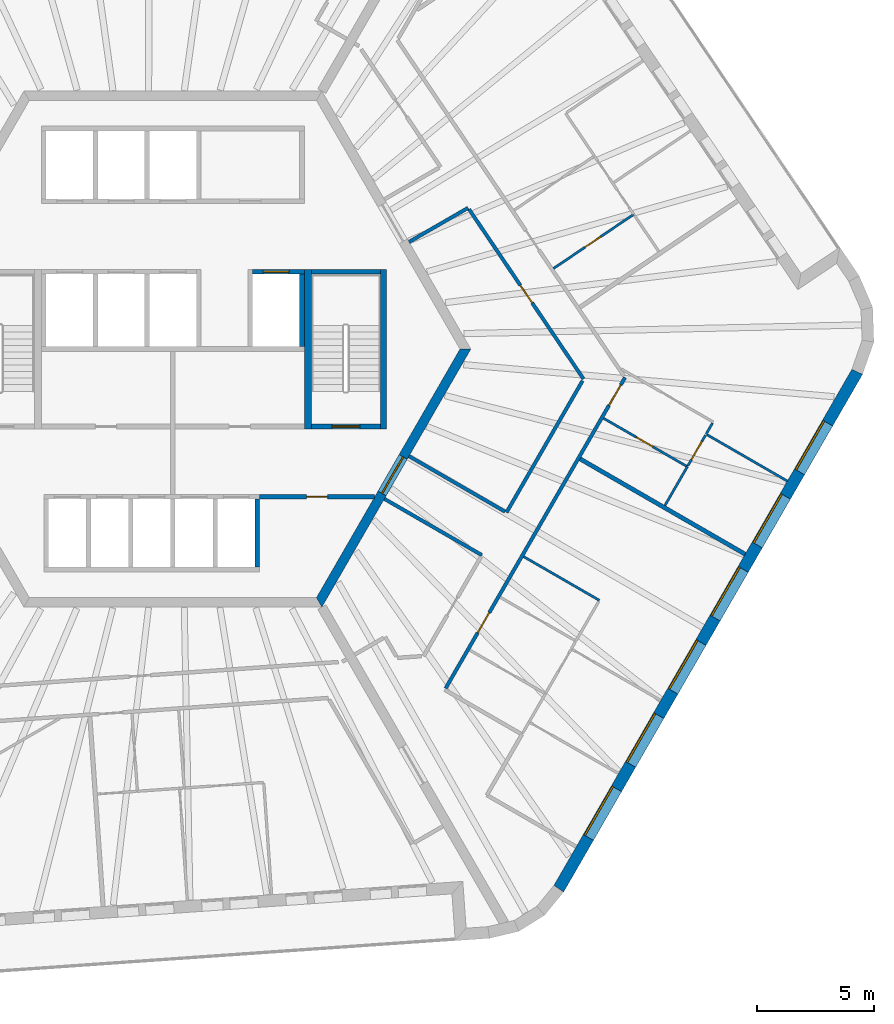
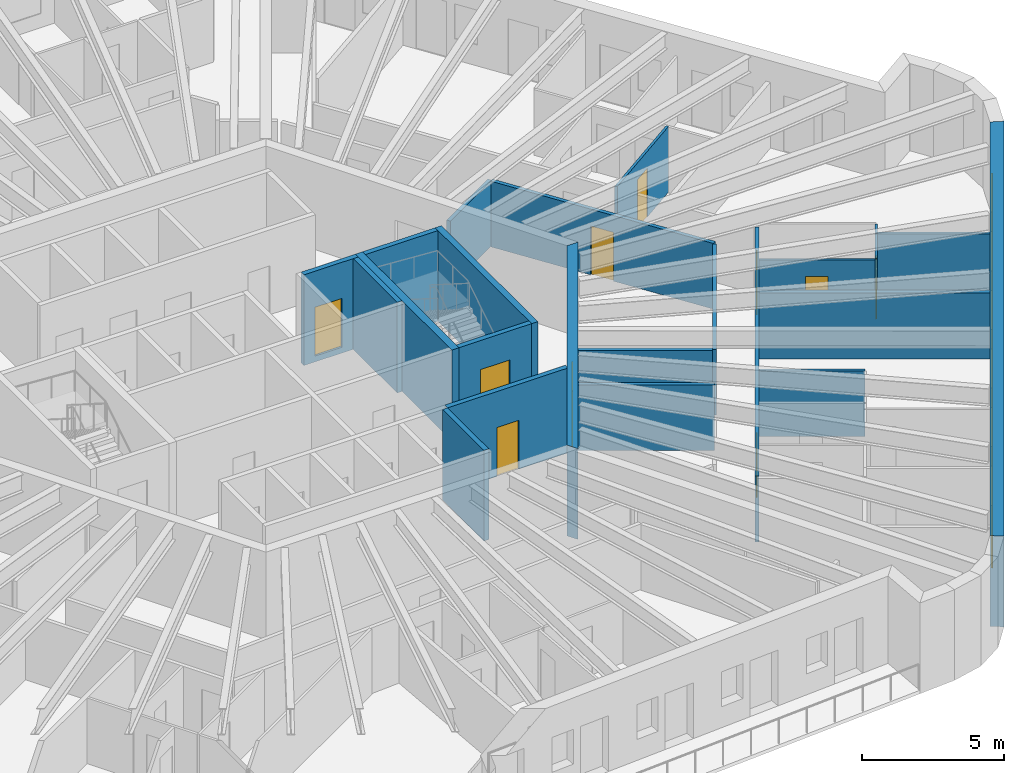
# One storey, part 7 of 12: 24 walls, 10 doors, 6 windows, 16 openings.
"""IFC4 building model written with IfcOpenShell, lengths in metres."""

from ifc_helpers import new_model, si_unit, direction, frame, frame_2d, origin, place, context, subcontext, project, spatial, polyline, rectangle, outline, extrude, material, layer, layer_set, type_object, element, fill, save


model = new_model("IFC4")

# Units and contexts
model_context = context("Model", 3, precision=1e-05, world=origin(), true_north=direction((0.0, 1.0)))
body_context = subcontext(model_context, "Body", "Model", "MODEL_VIEW")
ifc_project = project(units=[si_unit("LENGTHUNIT", "METRE"), si_unit("AREAUNIT", "SQUARE_METRE"), si_unit("VOLUMEUNIT", "CUBIC_METRE"), si_unit("PLANEANGLEUNIT", "RADIAN"), si_unit("MASSUNIT", "GRAM", prefix="KILO")], contexts=[model_context])

# Site, building, storey
site_placement = place(None, origin())
site = spatial("IfcSite", under=ifc_project, at=site_placement, CompositionType="ELEMENT")
building_placement = place(site_placement, origin())
building = spatial("IfcBuilding", under=site, at=building_placement, Name="Tarnside Tower", CompositionType="ELEMENT")
storey_placement = place(building_placement, frame((0.0, 0.0, 260.10009765625)))
storey = spatial("IfcBuildingStorey", under=building, at=storey_placement, Name="L62", CompositionType="ELEMENT", Elevation=260.10009765625)

# Wall
ifc_material_1 = material(Name="Gypsum board partition on steel studs", Category="steel")
ifc_layer_1 = layer(ifc_material_1, 0.10009765625)
ifc_layer_set_1 = layer_set([ifc_layer_1], Name="Bathroom wall 100")
wall_type_1 = type_object("IfcWallType", Name="Bathroom wall 100", PredefinedType="PARTITIONING", material=ifc_layer_set_1)
wall_1_placement = place(storey_placement, frame((14.9541015625, -8.8486328125, 0.0), z_axis=(0.0, 0.0, 1.0), x_axis=(0.866028424924, -0.499994767197, 0.0)))
element("IfcWall", 1, at=wall_1_placement, inside=storey, type_object=wall_type_1, Name="Bathroom wall 20141", PredefinedType="PARTITIONING", context=body_context, shape_type="SweptSolid", body=[
    extrude(rectangle(XDim=3.72509765625, YDim=0.10009765625, at=frame_2d((1.862548828125, 0.0))), origin(), (0.0, 0.0, 1.0), 2.8232421875),
])

# Wall, opening, door
wall_2_placement = place(storey_placement, frame((18.359619140625, -2.9501953125, 0.0), z_axis=(0.0, 0.0, 1.0), x_axis=(0.866019999656, -0.500009360108, 0.0)))
wall_2 = element("IfcWall", 2, at=wall_2_placement, inside=storey, type_object=wall_type_1, Name="Bathroom wall 20156", PredefinedType="PARTITIONING", context=body_context, shape_type="SweptSolid", body=[
    extrude(rectangle(XDim=4.125, YDim=0.10009765625, at=frame_2d((2.0625, 0.0))), origin(), (0.0, 0.0, 1.0), 2.8232421875),
])
opening_1_placement = place(wall_2_placement, frame((1.625, 0.0, 0.0)))
opening_1 = element("IfcOpeningElement", 3, at=opening_1_placement, cuts=wall_2, Name="Opening D-B1", PredefinedType="OPENING", context=body_context, shape_type="SweptSolid", body=[
    extrude(rectangle(XDim=0.800048828125, YDim=2.10009765625, at=frame_2d((0.39990234375, 1.050048828125))), frame((0.0, 0.06005859375, 0.0), z_axis=(0.0, -1.0, 0.0), x_axis=(1.0, 0.0, 0.0)), (0.0, 0.0, 1.0), 0.1201171875),
])
ifc_material_2 = material(Name="Timber door leaf", Category="wood")
door_type_1 = type_object("IfcDoorType", Name="Bathroom door 800", OperationType="NOTDEFINED", PredefinedType="DOOR", material=ifc_material_2)
door_1_placement = place(opening_1_placement, origin())
door_1 = element("IfcDoor", 4, at=door_1_placement, inside=storey, type_object=door_type_1, Name="Bathroom door 20062", OperationType="SINGLE_SWING_RIGHT", OverallHeight=2.10009765625, OverallWidth=0.800048828125, PredefinedType="DOOR", context=body_context, shape_type="SweptSolid", body=[
    extrude(rectangle(XDim=0.800048828125, YDim=2.10009765625, at=frame_2d((0.39990234375, 1.050048828125))), frame((0.0, 0.02490234375, 0.0), z_axis=(0.0, -1.0, 0.0), x_axis=(1.0, 0.0, 0.0)), (0.0, 0.0, 1.0), 0.050048828125),
])
fill(opening_1, door_1)

# Wall
wall_3_placement = place(storey_placement, frame((20.97705078125, -6.666748046875, 0.0), z_axis=(0.0, 0.0, 1.0), x_axis=(0.49994353734, 0.866058000062, 0.0)))
element("IfcWall", 5, at=wall_3_placement, inside=storey, type_object=wall_type_1, Name="Bathroom wall 20158", PredefinedType="PARTITIONING", context=body_context, shape_type="SweptSolid", body=[
    extrude(rectangle(XDim=1.911865234375, YDim=0.10009765625, at=frame_2d((0.9560546875, 0.0))), origin(), (0.0, 0.0, 1.0), 2.8232421875),
])

# Wall, opening, door
wall_4_placement = place(storey_placement, frame((16.227294921875, 3.43701171875, 0.0), z_axis=(0.0, 0.0, 1.0), x_axis=(0.829033204172, 0.559199379811, 0.0)))
wall_4 = element("IfcWall", 6, at=wall_4_placement, inside=storey, type_object=wall_type_1, Name="Bathroom wall 20163", PredefinedType="PARTITIONING", context=body_context, shape_type="SweptSolid", body=[
    extrude(rectangle(XDim=4.125, YDim=0.10009765625, at=frame_2d((2.0625, 0.0))), origin(), (0.0, 0.0, 1.0), 2.8232421875),
])
opening_2_placement = place(wall_4_placement, frame((1.625, 0.0, 0.0)))
opening_2 = element("IfcOpeningElement", 7, at=opening_2_placement, cuts=wall_4, Name="Opening D-B1", PredefinedType="OPENING", context=body_context, shape_type="SweptSolid", body=[
    extrude(rectangle(XDim=0.800048828125, YDim=2.10009765625, at=frame_2d((0.39990234375, 1.050048828125))), frame((0.0, 0.06005859375, 0.0), z_axis=(0.0, -1.0, 0.0), x_axis=(1.0, 0.0, 0.0)), (0.0, 0.0, 1.0), 0.1201171875),
])
door_2_placement = place(opening_2_placement, origin())
door_2 = element("IfcDoor", 8, at=door_2_placement, inside=storey, type_object=door_type_1, Name="Bathroom door 20066", OperationType="SINGLE_SWING_RIGHT", OverallHeight=2.10009765625, OverallWidth=0.800048828125, PredefinedType="DOOR", context=body_context, shape_type="SweptSolid", body=[
    extrude(rectangle(XDim=0.800048828125, YDim=2.10009765625, at=frame_2d((0.39990234375, 1.050048828125))), frame((0.0, 0.02490234375, 0.0), z_axis=(0.0, -1.0, 0.0), x_axis=(1.0, 0.0, 0.0)), (0.0, 0.0, 1.0), 0.050048828125),
])
fill(opening_2, door_2)

ifc_material_3 = material(Name="Concrete C40/50", Category="concrete")
ifc_layer_2 = layer(ifc_material_3, 0.199951171875)
ifc_layer_set_2 = layer_set([ifc_layer_2], Name="Core room partition 200 C40/50")
wall_type_2 = type_object("IfcWallType", Name="Core room partition 200 C40/50", PredefinedType="PARTITIONING", material=ifc_layer_set_2)
wall_5_placement = place(storey_placement, frame((3.699951171875, -6.300048828125, 0.0), z_axis=(0.0, 0.0, 1.0), x_axis=(1.0, 0.0, 0.0)))
wall_5 = element("IfcWall", 9, at=wall_5_placement, inside=storey, type_object=wall_type_2, Name="L62 core partition R4X", PredefinedType="PARTITIONING", context=body_context, shape_type="SweptSolid", body=[
    extrude(rectangle(XDim=4.902587890625, YDim=0.199951171875, at=frame_2d((2.451171875, 0.0))), origin(), (0.0, 0.0, 1.0), 3.64990234375),
])
opening_3_placement = place(wall_5_placement, frame((2.001220703125, 0.0, 0.0)))
opening_3 = element("IfcOpeningElement", 10, at=opening_3_placement, cuts=wall_5, Name="Opening CD-room", PredefinedType="OPENING", context=body_context, shape_type="SweptSolid", body=[
    extrude(rectangle(XDim=0.89990234375, YDim=2.10009765625, at=frame_2d((0.449951171875, 1.050048828125))), frame((0.0, 0.10986328125, 0.0), z_axis=(0.0, -1.0, 0.0), x_axis=(1.0, 0.0, 0.0)), (0.0, 0.0, 1.0), 0.219970703125),
])
ifc_material_4 = material(Name="Steel fire door", Category="steel")
door_type_2 = type_object("IfcDoorType", Name="Room door FD60 900x2100", OperationType="NOTDEFINED", PredefinedType="DOOR", material=ifc_material_4)
door_3_placement = place(opening_3_placement, origin())
door_3 = element("IfcDoor", 11, at=door_3_placement, inside=storey, type_object=door_type_2, Name="L62 core room door RX", OperationType="SINGLE_SWING_LEFT", OverallHeight=2.10009765625, OverallWidth=0.89990234375, PredefinedType="DOOR", context=body_context, shape_type="SweptSolid", body=[
    extrude(rectangle(XDim=0.89990234375, YDim=2.10009765625, at=frame_2d((0.449951171875, 1.050048828125))), frame((0.0, 0.02490234375, 0.0), z_axis=(0.0, -1.0, 0.0), x_axis=(1.0, 0.0, 0.0)), (0.0, 0.0, 1.0), 0.050048828125),
])
fill(opening_3, door_3)

ifc_material_5 = material(Name="Concrete C60/75", Category="concrete")
ifc_layer_3 = layer(ifc_material_5, 0.39990234375)
ifc_layer_set_3 = layer_set([ifc_layer_3], Name="Core wall Z3 400 C60/75")
wall_type_3 = type_object("IfcWallType", Name="Core wall Z3 400 C60/75", PredefinedType="SHEAR", material=ifc_layer_set_3)
wall_6_placement = place(storey_placement, frame((6.2353515625, -10.800048828125, -0.150146484375), z_axis=(0.0, 0.0, 1.0), x_axis=(0.499996419489, 0.866027470984, 0.0)))
wall_6 = element("IfcWall", 12, at=wall_6_placement, inside=storey, type_object=wall_type_3, Name="L62 core wall face 5", PredefinedType="SHEAR", context=body_context, shape_type="SweptSolid", body=[
    extrude(outline(polyline([(-0.115478515625, -0.199951171875), (12.586181640625, -0.199951171875), (12.355224609375, 0.199951171875), (0.115478515625, 0.199951171875), (-0.115478515625, -0.199951171875)])), origin(), (0.0, 0.0, 1.0), 3.900146484375),
])
opening_4_placement = place(wall_6_placement, frame((5.3642578125, 0.0, 0.14990234375)))
opening_4 = element("IfcOpeningElement", 13, at=opening_4_placement, cuts=wall_6, Name="Opening CD-FFL", PredefinedType="OPENING", context=body_context, shape_type="SweptSolid", body=[
    extrude(rectangle(XDim=1.800048828125, YDim=2.39990234375, at=frame_2d((0.89990234375, 1.199951171875))), frame((0.0, 0.2099609375, 0.0), z_axis=(0.0, -1.0, 0.0), x_axis=(1.0, 0.0, 0.0)), (0.0, 0.0, 1.0), 0.419921875),
])
door_type_3 = type_object("IfcDoorType", Name="Firefighting lobby double door FD60S 1800x2400", OperationType="NOTDEFINED", PredefinedType="DOOR", material=ifc_material_4)
door_4_placement = place(opening_4_placement, origin())
door_4 = element("IfcDoor", 14, at=door_4_placement, inside=storey, type_object=door_type_3, Name="L62 core door P4", OperationType="DOUBLE_DOOR_SINGLE_SWING", OverallHeight=2.39990234375, OverallWidth=1.800048828125, PredefinedType="DOOR", context=body_context, shape_type="SweptSolid", body=[
    extrude(rectangle(XDim=1.800048828125, YDim=2.39990234375, at=frame_2d((0.89990234375, 1.199951171875))), frame((0.0, 0.02490234375, 0.0), z_axis=(0.0, -1.0, 0.0), x_axis=(1.0, 0.0, 0.0)), (0.0, 0.0, 1.0), 0.050048828125),
])
fill(opening_4, door_4)

# Wall, openings, doors
ifc_layer_4 = layer(ifc_material_1, 0.14990234375)
ifc_layer_set_4 = layer_set([ifc_layer_4], Name="Corridor wall 150 EI 60")
wall_type_4 = type_object("IfcWallType", Name="Corridor wall 150 EI 60", PredefinedType="PARTITIONING", material=ifc_layer_set_4)
wall_7_placement = place(storey_placement, frame((11.626708984375, -14.4619140625, 0.0), z_axis=(0.0, 0.0, 1.0), x_axis=(0.499994634027, 0.866028501808, 0.0)))
wall_7 = element("IfcWall", 15, at=wall_7_placement, inside=storey, type_object=wall_type_4, Name="Corridor wall 20052", PredefinedType="PARTITIONING", context=body_context, shape_type="SweptSolid", body=[
    extrude(rectangle(XDim=15.296142578125, YDim=0.14990234375, at=frame_2d((7.64794921875, 0.0))), origin(), (0.0, 0.0, 1.0), 2.8232421875),
])
opening_5_placement = place(wall_7_placement, frame((2.72509765625, 0.0, 0.0)))
opening_5 = element("IfcOpeningElement", 16, at=opening_5_placement, cuts=wall_7, Name="Opening D-E1", PredefinedType="OPENING", context=body_context, shape_type="SweptSolid", body=[
    extrude(rectangle(XDim=1.0, YDim=2.10009765625, at=frame_2d((0.5, 1.050048828125))), frame((0.0, 0.0849609375, 0.0), z_axis=(0.0, -1.0, 0.0), x_axis=(1.0, 0.0, 0.0)), (0.0, 0.0, 1.0), 0.169921875),
])
opening_6_placement = place(wall_7_placement, frame((13.93603515625, 0.0, 0.0)))
opening_6 = element("IfcOpeningElement", 17, at=opening_6_placement, cuts=wall_7, Name="Opening D-E1", PredefinedType="OPENING", context=body_context, shape_type="SweptSolid", body=[
    extrude(rectangle(XDim=1.0, YDim=2.10009765625, at=frame_2d((0.5, 1.050048828125))), frame((0.0, 0.0849609375, 0.0), z_axis=(0.0, -1.0, 0.0), x_axis=(1.0, 0.0, 0.0)), (0.0, 0.0, 1.0), 0.169921875),
])
door_type_4 = type_object("IfcDoorType", Name="Unit entrance door 1000 FD30S", OperationType="NOTDEFINED", PredefinedType="DOOR", material=ifc_material_2)
door_5_placement = place(opening_5_placement, origin())
door_5 = element("IfcDoor", 18, at=door_5_placement, inside=storey, type_object=door_type_4, Name="Unit door 20050", OperationType="SINGLE_SWING_LEFT", OverallHeight=2.10009765625, OverallWidth=1.0, PredefinedType="DOOR", context=body_context, shape_type="SweptSolid", body=[
    extrude(rectangle(XDim=1.0, YDim=2.10009765625, at=frame_2d((0.5, 1.050048828125))), frame((0.0, 0.02490234375, 0.0), z_axis=(0.0, -1.0, 0.0), x_axis=(1.0, 0.0, 0.0)), (0.0, 0.0, 1.0), 0.050048828125),
])
fill(opening_5, door_5)
door_6_placement = place(opening_6_placement, origin())
door_6 = element("IfcDoor", 19, at=door_6_placement, inside=storey, type_object=door_type_4, Name="Unit door 20061", OperationType="SINGLE_SWING_LEFT", OverallHeight=2.10009765625, OverallWidth=1.0, PredefinedType="DOOR", context=body_context, shape_type="SweptSolid", body=[
    extrude(rectangle(XDim=1.0, YDim=2.10009765625, at=frame_2d((0.5, 1.050048828125))), frame((0.0, 0.02490234375, 0.0), z_axis=(0.0, -1.0, 0.0), x_axis=(1.0, 0.0, 0.0)), (0.0, 0.0, 1.0), 0.050048828125),
])
fill(opening_6, door_6)

# Wall
wall_8_placement = place(storey_placement, frame((10.065673828125, 4.565673828125, 0.0), z_axis=(0.0, 0.0, 1.0), x_axis=(0.866034661658, 0.49998396455, 0.0)))
element("IfcWall", 20, at=wall_8_placement, inside=storey, type_object=wall_type_4, Name="Corridor wall 20069", PredefinedType="PARTITIONING", context=body_context, shape_type="SweptSolid", body=[
    extrude(rectangle(XDim=2.9091796875, YDim=0.14990234375, at=frame_2d((1.45458984375, 0.0))), origin(), (0.0, 0.0, 1.0), 2.8232421875),
])

# Wall, opening, door
wall_9_placement = place(storey_placement, frame((12.627197265625, 5.9580078125, 0.0), z_axis=(0.0, 0.0, 1.0), x_axis=(0.559185493191, -0.829042570804, 0.0)))
wall_9 = element("IfcWall", 21, at=wall_9_placement, inside=storey, type_object=wall_type_4, Name="Corridor wall 20070", PredefinedType="PARTITIONING", context=body_context, shape_type="SweptSolid", body=[
    extrude(rectangle(XDim=8.726806640625, YDim=0.14990234375, at=frame_2d((4.36328125, 0.0))), origin(), (0.0, 0.0, 1.0), 2.8232421875),
])
opening_7_placement = place(wall_9_placement, frame((3.913330078125, 0.0, 0.0)))
opening_7 = element("IfcOpeningElement", 22, at=opening_7_placement, cuts=wall_9, Name="Opening D-S1", PredefinedType="OPENING", context=body_context, shape_type="SweptSolid", body=[
    extrude(rectangle(XDim=0.89990234375, YDim=2.10009765625, at=frame_2d((0.449951171875, 1.050048828125))), frame((0.0, 0.0849609375, 0.0), z_axis=(0.0, -1.0, 0.0), x_axis=(1.0, 0.0, 0.0)), (0.0, 0.0, 1.0), 0.169921875),
])
door_type_5 = type_object("IfcDoorType", Name="Service room door 900 FD30S", OperationType="NOTDEFINED", PredefinedType="DOOR", material=ifc_material_2)
door_7_placement = place(opening_7_placement, origin())
door_7 = element("IfcDoor", 23, at=door_7_placement, inside=storey, type_object=door_type_5, Name="Service door 20075", OperationType="SINGLE_SWING_RIGHT", OverallHeight=2.10009765625, OverallWidth=0.89990234375, PredefinedType="DOOR", context=body_context, shape_type="SweptSolid", body=[
    extrude(rectangle(XDim=0.89990234375, YDim=2.10009765625, at=frame_2d((0.449951171875, 1.050048828125))), frame((0.0, 0.02490234375, 0.0), z_axis=(0.0, -1.0, 0.0), x_axis=(1.0, 0.0, 0.0)), (0.0, 0.0, 1.0), 0.050048828125),
])
fill(opening_7, door_7)

# Walls
wall_10_placement = place(storey_placement, frame((17.46533203125, -1.34912109375, 0.0), z_axis=(0.0, 0.0, 1.0), x_axis=(-0.500001610943, -0.866024473704, 0.0)))
element("IfcWall", 24, at=wall_10_placement, inside=storey, type_object=wall_type_4, Name="Corridor wall 20071", PredefinedType="PARTITIONING", context=body_context, shape_type="SweptSolid", body=[
    extrude(rectangle(XDim=6.4853515625, YDim=0.14990234375, at=frame_2d((3.24267578125, 0.0))), origin(), (0.0, 0.0, 1.0), 2.8232421875),
])
wall_11_placement = place(storey_placement, frame((14.15771484375, -6.92822265625, 0.0), z_axis=(0.0, 0.0, 1.0), x_axis=(-0.866024684746, 0.500001245408, 0.0)))
element("IfcWall", 25, at=wall_11_placement, inside=storey, type_object=wall_type_4, Name="Corridor wall 20072", PredefinedType="PARTITIONING", context=body_context, shape_type="SweptSolid", body=[
    extrude(rectangle(XDim=4.72509765625, YDim=0.14990234375, at=frame_2d((2.362548828125, 0.0))), origin(), (0.0, 0.0, 1.0), 2.8232421875),
])
wall_12_placement = place(storey_placement, frame((9.015625, -6.38427734375, 0.0), z_axis=(0.0, 0.0, 1.0), x_axis=(0.866015339567, -0.500017431331, 0.0)))
element("IfcWall", 26, at=wall_12_placement, inside=storey, type_object=wall_type_4, Name="Corridor wall 20073", PredefinedType="PARTITIONING", context=body_context, shape_type="SweptSolid", body=[
    extrude(rectangle(XDim=4.800048828125, YDim=0.14990234375, at=frame_2d((2.39990234375, 0.0))), origin(), (0.0, 0.0, 1.0), 2.8232421875),
])
ifc_layer_5 = layer(ifc_material_1, 0.179931640625)
ifc_layer_set_5 = layer_set([ifc_layer_5], Name="Demising wall 180 EI 60")
wall_type_5 = type_object("IfcWallType", Name="Demising wall 180 EI 60", PredefinedType="PARTITIONING", material=ifc_layer_set_5)
wall_13_placement = place(storey_placement, frame((24.39599609375, -8.744873046875, 0.0), z_axis=(0.0, 0.0, 1.0), x_axis=(-0.866022959057, 0.500004234368, 0.0)))
element("IfcWall", 27, at=wall_13_placement, inside=storey, type_object=wall_type_5, Name="Demising wall 20143", PredefinedType="PARTITIONING", context=body_context, shape_type="SweptSolid", body=[
    extrude(rectangle(XDim=8.125, YDim=0.179931640625, at=frame_2d((4.0625, 0.0))), origin(), (0.0, 0.0, 1.0), 2.8232421875),
])

# Wall, opening, door
ifc_layer_6 = layer(ifc_material_3, 0.199951171875)
ifc_layer_set_6 = layer_set([ifc_layer_6], Name="Lift shaft wall 200 C40/50")
wall_type_6 = type_object("IfcWallType", Name="Lift shaft wall 200 C40/50", PredefinedType="SHEAR", material=ifc_layer_set_6)
wall_14_placement = place(storey_placement, frame((3.39990234375, 3.300048828125, -0.25), z_axis=(0.0, 0.0, 1.0), x_axis=(1.0, 0.0, 0.0)))
wall_14 = element("IfcWall", 28, at=wall_14_placement, inside=storey, type_object=wall_type_6, Name="L62 lift shaft front wall R2 2", PredefinedType="SHEAR", context=body_context, shape_type="SweptSolid", body=[
    extrude(rectangle(XDim=2.2001953125, YDim=0.199951171875, at=frame_2d((1.10009765625, 0.0))), origin(), (0.0, 0.0, 1.0), 3.89990234375),
])
opening_8_placement = place(wall_14_placement, frame((0.449951171875, 0.0, 0.25)))
opening_8 = element("IfcOpeningElement", 29, at=opening_8_placement, cuts=wall_14, Name="Opening LD", PredefinedType="OPENING", context=body_context, shape_type="SweptSolid", body=[
    extrude(rectangle(XDim=1.10009765625, YDim=2.10009765625, at=frame_2d((0.550048828125, 1.050048828125))), frame((0.0, 0.10986328125, 0.0), z_axis=(0.0, -1.0, 0.0), x_axis=(1.0, 0.0, 0.0)), (0.0, 0.0, 1.0), 0.219970703125),
])
ifc_material_6 = material(Name="Stainless steel", Category="steel")
door_type_6 = type_object("IfcDoorType", Name="Lift landing door 1100x2100", OperationType="NOTDEFINED", PredefinedType="DOOR", material=ifc_material_6)
door_8_placement = place(opening_8_placement, origin())
door_8 = element("IfcDoor", 30, at=door_8_placement, inside=storey, type_object=door_type_6, Name="Express sky-lobby shuttle 2 landing door L62", OperationType="SLIDING_TO_LEFT", OverallHeight=2.10009765625, OverallWidth=1.10009765625, PredefinedType="DOOR", context=body_context, shape_type="SweptSolid", body=[
    extrude(rectangle(XDim=1.10009765625, YDim=2.10009765625, at=frame_2d((0.550048828125, 1.050048828125))), frame((0.0, 0.02490234375, 0.0), z_axis=(0.0, -1.0, 0.0), x_axis=(1.0, 0.0, 0.0)), (0.0, 0.0, 1.0), 0.050048828125),
])
fill(opening_8, door_8)

# Walls
wall_15_placement = place(storey_placement, frame((5.5, 0.10009765625, -0.25), z_axis=(0.0, 0.0, 1.0), x_axis=(0.0, 1.0, 0.0)))
element("IfcWall", 31, at=wall_15_placement, inside=storey, type_object=wall_type_6, Name="L62 lift shaft partition R26", PredefinedType="SHEAR", context=body_context, shape_type="SweptSolid", body=[
    extrude(rectangle(XDim=3.099853515625, YDim=0.199951171875, at=frame_2d((1.5498046875, 0.0))), origin(), (0.0, 0.0, 1.0), 3.89990234375),
])
wall_16_placement = place(storey_placement, frame((3.60009765625, -9.300048828125, -0.25), z_axis=(0.0, 0.0, 1.0), x_axis=(0.0, 1.0, 0.0)))
element("IfcWall", 32, at=wall_16_placement, inside=storey, type_object=wall_type_6, Name="L62 lift shaft partition R46", PredefinedType="SHEAR", context=body_context, shape_type="SweptSolid", body=[
    extrude(rectangle(XDim=2.900146484375, YDim=0.199951171875, at=frame_2d((1.4501953125, 0.0))), origin(), (0.0, 0.0, 1.0), 3.89990234375),
])
wall_17_placement = place(storey_placement, frame((5.89990234375, 3.300048828125, -0.25), z_axis=(0.0, 0.0, 1.0), x_axis=(1.0, 0.0, 0.0)))
element("IfcWall", 33, at=wall_17_placement, inside=storey, type_object=wall_type_6, Name="L62 stair 1 enclosure cap wall n", PredefinedType="SHEAR", context=body_context, shape_type="SweptSolid", body=[
    extrude(rectangle(XDim=2.9501953125, YDim=0.199951171875, at=frame_2d((1.47509765625, 0.0))), origin(), (0.0, 0.0, 1.0), 3.89990234375),
])

# Wall, opening, door
wall_18_placement = place(storey_placement, frame((5.89990234375, -3.300048828125, -0.25), z_axis=(0.0, 0.0, 1.0), x_axis=(1.0, 0.0, 0.0)))
wall_18 = element("IfcWall", 34, at=wall_18_placement, inside=storey, type_object=wall_type_6, Name="L62 stair 1 enclosure cap wall s", PredefinedType="SHEAR", context=body_context, shape_type="SweptSolid", body=[
    extrude(rectangle(XDim=2.9501953125, YDim=0.199951171875, at=frame_2d((1.47509765625, 0.0))), origin(), (0.0, 0.0, 1.0), 3.89990234375),
])
opening_9_placement = place(wall_18_placement, frame((0.875, 0.0, 0.25)))
opening_9 = element("IfcOpeningElement", 35, at=opening_9_placement, cuts=wall_18, Name="Opening CD-STR", PredefinedType="OPENING", context=body_context, shape_type="SweptSolid", body=[
    extrude(rectangle(XDim=1.199951171875, YDim=2.39990234375, at=frame_2d((0.60009765625, 1.199951171875))), frame((0.0, 0.10986328125, 0.0), z_axis=(0.0, -1.0, 0.0), x_axis=(1.0, 0.0, 0.0)), (0.0, 0.0, 1.0), 0.219970703125),
])
door_type_7 = type_object("IfcDoorType", Name="Stair door FD60S 1200x2400", OperationType="NOTDEFINED", PredefinedType="DOOR", material=ifc_material_4)
door_9_placement = place(opening_9_placement, origin())
door_9 = element("IfcDoor", 36, at=door_9_placement, inside=storey, type_object=door_type_7, Name="L62 stair 1 door", OperationType="SINGLE_SWING_LEFT", OverallHeight=2.39990234375, OverallWidth=1.199951171875, PredefinedType="DOOR", context=body_context, shape_type="SweptSolid", body=[
    extrude(rectangle(XDim=1.199951171875, YDim=2.39990234375, at=frame_2d((0.60009765625, 1.199951171875))), frame((0.0, 0.02490234375, 0.0), z_axis=(0.0, -1.0, 0.0), x_axis=(1.0, 0.0, 0.0)), (0.0, 0.0, 1.0), 0.050048828125),
])
fill(opening_9, door_9)

# Walls
ifc_layer_7 = layer(ifc_material_1, 0.10009765625)
ifc_layer_set_7 = layer_set([ifc_layer_7], Name="Partition 100")
wall_type_7 = type_object("IfcWallType", Name="Partition 100", PredefinedType="PARTITIONING", material=ifc_layer_set_7)
wall_19_placement = place(storey_placement, frame((23.0068359375, -3.15087890625, 0.0), z_axis=(0.0, 0.0, 1.0), x_axis=(-0.499850094852, -0.866111934265, 0.0)))
element("IfcWall", 37, at=wall_19_placement, inside=storey, type_object=wall_type_7, Name="Partition wall 20152", PredefinedType="PARTITIONING", context=body_context, shape_type="SweptSolid", body=[
    extrude(rectangle(XDim=0.552001953125, YDim=0.10009765625, at=frame_2d((0.27587890625, 0.0))), origin(), (0.0, 0.0, 1.0), 2.8232421875),
])
wall_20_placement = place(storey_placement, frame((22.775146484375, -3.652099609375, 0.0), z_axis=(0.0, 0.0, 1.0), x_axis=(0.866020906874, -0.500007788796, 0.0)))
element("IfcWall", 38, at=wall_20_placement, inside=storey, type_object=wall_type_7, Name="Partition wall 20153", PredefinedType="PARTITIONING", context=body_context, shape_type="SweptSolid", body=[
    extrude(rectangle(XDim=3.9501953125, YDim=0.10009765625, at=frame_2d((1.97509765625, 0.0))), origin(), (0.0, 0.0, 1.0), 2.8232421875),
])

# Wall, opening, door
wall_21_placement = place(storey_placement, frame((21.9560546875, -4.97119140625, 0.0), z_axis=(0.0, 0.0, 1.0), x_axis=(0.499985098601, 0.86603400694, 0.0)))
wall_21 = element("IfcWall", 39, at=wall_21_placement, inside=storey, type_object=wall_type_7, Name="Partition wall 20157", PredefinedType="PARTITIONING", context=body_context, shape_type="SweptSolid", body=[
    extrude(rectangle(XDim=1.501953125, YDim=0.10009765625, at=frame_2d((0.7509765625, 0.0))), origin(), (0.0, 0.0, 1.0), 2.8232421875),
])
opening_10_placement = place(wall_21_placement, frame((0.302001953125, 0.0, 0.0)))
opening_10 = element("IfcOpeningElement", 40, at=opening_10_placement, cuts=wall_21, Name="Opening D-I1", PredefinedType="OPENING", context=body_context, shape_type="SweptSolid", body=[
    extrude(rectangle(XDim=0.89990234375, YDim=2.10009765625, at=frame_2d((0.449951171875, 1.050048828125))), frame((0.0, 0.06005859375, 0.0), z_axis=(0.0, -1.0, 0.0), x_axis=(1.0, 0.0, 0.0)), (0.0, 0.0, 1.0), 0.1201171875),
])
door_type_8 = type_object("IfcDoorType", Name="Internal door 900", OperationType="NOTDEFINED", PredefinedType="DOOR", material=ifc_material_2)
door_10_placement = place(opening_10_placement, origin())
door_10 = element("IfcDoor", 41, at=door_10_placement, inside=storey, type_object=door_type_8, Name="Internal door 20064", OperationType="SINGLE_SWING_RIGHT", OverallHeight=2.10009765625, OverallWidth=0.89990234375, PredefinedType="DOOR", context=body_context, shape_type="SweptSolid", body=[
    extrude(rectangle(XDim=0.89990234375, YDim=2.10009765625, at=frame_2d((0.449951171875, 1.050048828125))), frame((0.0, 0.02490234375, 0.0), z_axis=(0.0, -1.0, 0.0), x_axis=(1.0, 0.0, 0.0)), (0.0, 0.0, 1.0), 0.050048828125),
])
fill(opening_10, door_10)

# Walls
ifc_layer_8 = layer(ifc_material_3, 0.25)
ifc_layer_set_8 = layer_set([ifc_layer_8], Name="Stair enclosure wall 250 C40/50")
wall_type_8 = type_object("IfcWallType", Name="Stair enclosure wall 250 C40/50", PredefinedType="SHEAR", material=ifc_layer_set_8)
wall_22_placement = place(storey_placement, frame((8.97509765625, -3.39990234375, -0.25), z_axis=(0.0, 0.0, 1.0), x_axis=(0.0, 1.0, 0.0)))
element("IfcWall", 42, at=wall_22_placement, inside=storey, type_object=wall_type_8, Name="L62 stair 1 enclosure wall outer", PredefinedType="SHEAR", context=body_context, shape_type="SweptSolid", body=[
    extrude(rectangle(XDim=6.7998046875, YDim=0.25, at=frame_2d((3.39990234375, 0.0))), origin(), (0.0, 0.0, 1.0), 3.89990234375),
])
ifc_layer_9 = layer(ifc_material_3, 0.300048828125)
ifc_layer_set_9 = layer_set([ifc_layer_9], Name="Stair enclosure wall 300 C40/50")
wall_type_9 = type_object("IfcWallType", Name="Stair enclosure wall 300 C40/50", PredefinedType="SHEAR", material=ifc_layer_set_9)
wall_23_placement = place(storey_placement, frame((5.75, -3.39990234375, -0.25), z_axis=(0.0, 0.0, 1.0), x_axis=(0.0, 1.0, 0.0)))
element("IfcWall", 43, at=wall_23_placement, inside=storey, type_object=wall_type_9, Name="L62 stair 1 enclosure wall inner", PredefinedType="SHEAR", context=body_context, shape_type="SweptSolid", body=[
    extrude(rectangle(XDim=6.7998046875, YDim=0.300048828125, at=frame_2d((3.39990234375, 0.0))), origin(), (0.0, 0.0, 1.0), 3.89990234375),
])

# Wall, openings, windows
ifc_material_7 = material(Name="Facing brick", Category="masonry")
ifc_layer_10 = layer(ifc_material_7, 0.10205078125)
ifc_material_8 = material(Name="Concrete C60/75 precast", Category="concrete")
ifc_layer_11 = layer(ifc_material_8, 0.298095703125)
ifc_material_9 = material(Name="Mineral wool insulation")
ifc_layer_12 = layer(ifc_material_9, 0.10009765625)
ifc_layer_set_10 = layer_set([ifc_layer_10, ifc_layer_11, ifc_layer_12], Name="Tube wall 500 brick faced")
wall_type_10 = type_object("IfcWallType", Name="Tube wall 500 brick faced", PredefinedType="SOLIDWALL", material=ifc_layer_set_10)
wall_24_placement = place(storey_placement, frame((16.451416015625, -23.00537109375, -0.150146484375), z_axis=(0.0, 0.0, 1.0), x_axis=(0.500003737743, 0.866023245787, 0.0)))
wall_24 = element("IfcWall", 44, at=wall_24_placement, inside=storey, type_object=wall_type_10, Name="Tube wall L62 F5 flush 24", PredefinedType="SOLIDWALL", context=body_context, shape_type="SweptSolid", body=[
    extrude(outline(polyline([(-0.0205078125, -0.25), (25.468017578125, -0.25), (25.421142578125, 0.25), (0.0205078125, 0.25), (-0.0205078125, -0.25)])), origin(), (0.0, 0.0, 1.0), 3.900146484375),
])
opening_11_placement = place(wall_24_placement, frame((2.5224609375, 0.0, 0.75)))
opening_11 = element("IfcOpeningElement", 45, at=opening_11_placement, cuts=wall_24, Name="Opening WR", PredefinedType="OPENING", context=body_context, shape_type="SweptSolid", body=[
    extrude(rectangle(XDim=2.39990234375, YDim=2.699951171875, at=frame_2d((1.199951171875, 1.35009765625))), frame((0.0, 0.260009765625, 0.0), z_axis=(0.0, -1.0, 0.0), x_axis=(1.0, 0.0, 0.0)), (0.0, 0.0, 1.0), 0.52001953125),
])
opening_12_placement = place(wall_24_placement, frame((6.122314453125, 0.0, 0.75)))
opening_12 = element("IfcOpeningElement", 46, at=opening_12_placement, cuts=wall_24, Name="Opening WR", PredefinedType="OPENING", context=body_context, shape_type="SweptSolid", body=[
    extrude(rectangle(XDim=2.39990234375, YDim=2.699951171875, at=frame_2d((1.199951171875, 1.35009765625))), frame((0.0, 0.260009765625, 0.0), z_axis=(0.0, -1.0, 0.0), x_axis=(1.0, 0.0, 0.0)), (0.0, 0.0, 1.0), 0.52001953125),
])
opening_13_placement = place(wall_24_placement, frame((9.722412109375, 0.0, 0.75)))
opening_13 = element("IfcOpeningElement", 47, at=opening_13_placement, cuts=wall_24, Name="Opening WR", PredefinedType="OPENING", context=body_context, shape_type="SweptSolid", body=[
    extrude(rectangle(XDim=2.39990234375, YDim=2.699951171875, at=frame_2d((1.199951171875, 1.35009765625))), frame((0.0, 0.260009765625, 0.0), z_axis=(0.0, -1.0, 0.0), x_axis=(1.0, 0.0, 0.0)), (0.0, 0.0, 1.0), 0.52001953125),
])
opening_14_placement = place(wall_24_placement, frame((13.322509765625, 0.0, 0.75)))
opening_14 = element("IfcOpeningElement", 48, at=opening_14_placement, cuts=wall_24, Name="Opening WR", PredefinedType="OPENING", context=body_context, shape_type="SweptSolid", body=[
    extrude(rectangle(XDim=2.39990234375, YDim=2.699951171875, at=frame_2d((1.199951171875, 1.35009765625))), frame((0.0, 0.260009765625, 0.0), z_axis=(0.0, -1.0, 0.0), x_axis=(1.0, 0.0, 0.0)), (0.0, 0.0, 1.0), 0.52001953125),
])
opening_15_placement = place(wall_24_placement, frame((16.92236328125, 0.0, 0.75)))
opening_15 = element("IfcOpeningElement", 49, at=opening_15_placement, cuts=wall_24, Name="Opening WR", PredefinedType="OPENING", context=body_context, shape_type="SweptSolid", body=[
    extrude(rectangle(XDim=2.39990234375, YDim=2.699951171875, at=frame_2d((1.199951171875, 1.35009765625))), frame((0.0, 0.260009765625, 0.0), z_axis=(0.0, -1.0, 0.0), x_axis=(1.0, 0.0, 0.0)), (0.0, 0.0, 1.0), 0.52001953125),
])
opening_16_placement = place(wall_24_placement, frame((20.5224609375, 0.0, 0.75)))
opening_16 = element("IfcOpeningElement", 50, at=opening_16_placement, cuts=wall_24, Name="Opening WR", PredefinedType="OPENING", context=body_context, shape_type="SweptSolid", body=[
    extrude(rectangle(XDim=2.39990234375, YDim=2.699951171875, at=frame_2d((1.199951171875, 1.35009765625))), frame((0.0, 0.260009765625, 0.0), z_axis=(0.0, -1.0, 0.0), x_axis=(1.0, 0.0, 0.0)), (0.0, 0.0, 1.0), 0.52001953125),
])
ifc_material_10 = material(Name="Aluminium-framed double glazing", Category="aluminium")
window_type = type_object("IfcWindowType", Name="Residence window 2400 x 2700", PartitioningType="DOUBLE_PANEL_VERTICAL", PredefinedType="WINDOW", material=ifc_material_10)
window_1_placement = place(opening_11_placement, frame((0.0, 0.179931640625, 0.0)))
window_1 = element("IfcWindow", 51, at=window_1_placement, inside=storey, type_object=window_type, Name="E.WN.L62.F5.00", OverallHeight=2.699951171875, OverallWidth=2.39990234375, PartitioningType="DOUBLE_PANEL_VERTICAL", PredefinedType="WINDOW", context=body_context, shape_type="SweptSolid", body=[
    extrude(rectangle(XDim=2.39990234375, YDim=2.699951171875, at=frame_2d((1.199951171875, 1.35009765625))), frame((0.0, 0.030029296875, 0.0), z_axis=(0.0, -1.0, 0.0), x_axis=(1.0, 0.0, 0.0)), (0.0, 0.0, 1.0), 0.06005859375),
])
fill(opening_11, window_1)
window_2_placement = place(opening_12_placement, frame((0.0, 0.179931640625, 0.0)))
window_2 = element("IfcWindow", 52, at=window_2_placement, inside=storey, type_object=window_type, Name="E.WN.L62.F5.01", OverallHeight=2.699951171875, OverallWidth=2.39990234375, PartitioningType="DOUBLE_PANEL_VERTICAL", PredefinedType="WINDOW", context=body_context, shape_type="SweptSolid", body=[
    extrude(rectangle(XDim=2.39990234375, YDim=2.699951171875, at=frame_2d((1.199951171875, 1.35009765625))), frame((0.0, 0.030029296875, 0.0), z_axis=(0.0, -1.0, 0.0), x_axis=(1.0, 0.0, 0.0)), (0.0, 0.0, 1.0), 0.06005859375),
])
fill(opening_12, window_2)
window_3_placement = place(opening_13_placement, frame((0.0, 0.179931640625, 0.0)))
window_3 = element("IfcWindow", 53, at=window_3_placement, inside=storey, type_object=window_type, Name="E.WN.L62.F5.02", OverallHeight=2.699951171875, OverallWidth=2.39990234375, PartitioningType="DOUBLE_PANEL_VERTICAL", PredefinedType="WINDOW", context=body_context, shape_type="SweptSolid", body=[
    extrude(rectangle(XDim=2.39990234375, YDim=2.699951171875, at=frame_2d((1.199951171875, 1.35009765625))), frame((0.0, 0.030029296875, 0.0), z_axis=(0.0, -1.0, 0.0), x_axis=(1.0, 0.0, 0.0)), (0.0, 0.0, 1.0), 0.06005859375),
])
fill(opening_13, window_3)
window_4_placement = place(opening_14_placement, frame((0.0, 0.179931640625, 0.0)))
window_4 = element("IfcWindow", 54, at=window_4_placement, inside=storey, type_object=window_type, Name="E.WN.L62.F5.03", OverallHeight=2.699951171875, OverallWidth=2.39990234375, PartitioningType="DOUBLE_PANEL_VERTICAL", PredefinedType="WINDOW", context=body_context, shape_type="SweptSolid", body=[
    extrude(rectangle(XDim=2.39990234375, YDim=2.699951171875, at=frame_2d((1.199951171875, 1.35009765625))), frame((0.0, 0.030029296875, 0.0), z_axis=(0.0, -1.0, 0.0), x_axis=(1.0, 0.0, 0.0)), (0.0, 0.0, 1.0), 0.06005859375),
])
fill(opening_14, window_4)
window_5_placement = place(opening_15_placement, frame((0.0, 0.179931640625, 0.0)))
window_5 = element("IfcWindow", 55, at=window_5_placement, inside=storey, type_object=window_type, Name="E.WN.L62.F5.04", OverallHeight=2.699951171875, OverallWidth=2.39990234375, PartitioningType="DOUBLE_PANEL_VERTICAL", PredefinedType="WINDOW", context=body_context, shape_type="SweptSolid", body=[
    extrude(rectangle(XDim=2.39990234375, YDim=2.699951171875, at=frame_2d((1.199951171875, 1.35009765625))), frame((0.0, 0.030029296875, 0.0), z_axis=(0.0, -1.0, 0.0), x_axis=(1.0, 0.0, 0.0)), (0.0, 0.0, 1.0), 0.06005859375),
])
fill(opening_15, window_5)
window_6_placement = place(opening_16_placement, frame((0.0, 0.179931640625, 0.0)))
window_6 = element("IfcWindow", 56, at=window_6_placement, inside=storey, type_object=window_type, Name="E.WN.L62.F5.05", OverallHeight=2.699951171875, OverallWidth=2.39990234375, PartitioningType="DOUBLE_PANEL_VERTICAL", PredefinedType="WINDOW", context=body_context, shape_type="SweptSolid", body=[
    extrude(rectangle(XDim=2.39990234375, YDim=2.699951171875, at=frame_2d((1.199951171875, 1.35009765625))), frame((0.0, 0.030029296875, 0.0), z_axis=(0.0, -1.0, 0.0), x_axis=(1.0, 0.0, 0.0)), (0.0, 0.0, 1.0), 0.06005859375),
])
fill(opening_16, window_6)

save(model, "model.ifc")
